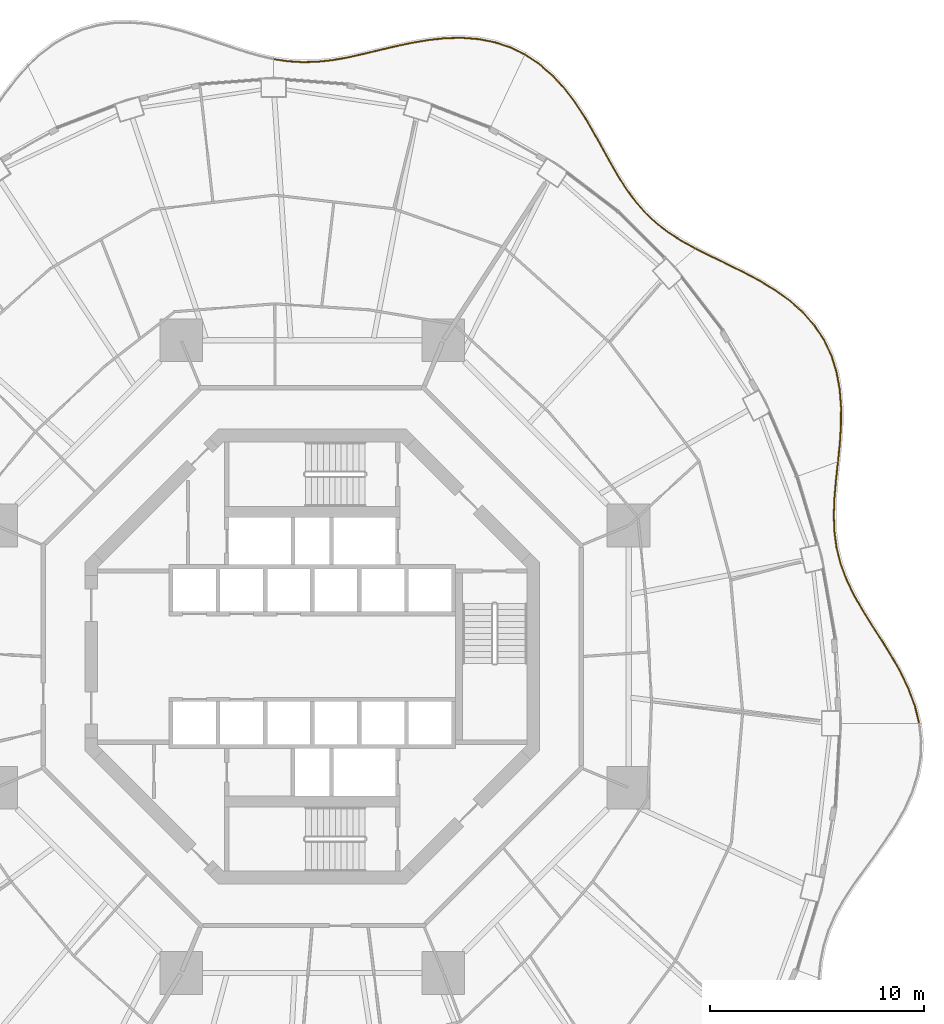
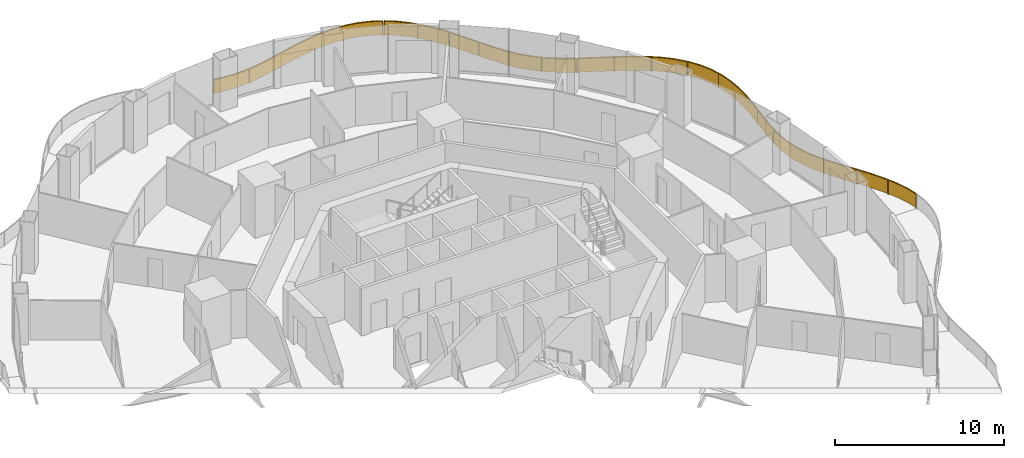
# One storey, part 19 of 19: 4 railings.
"""IFC4 building model written with IfcOpenShell, lengths in metres."""

from ifc_helpers import new_model, si_unit, direction, frame, origin, origin_2d, place, context, subcontext, project, spatial, polyline, rectangle, outline, extrude, material, type_object, element, save


model = new_model("IFC4")

# Units and contexts
model_context = context("Model", 3, precision=1e-05, world=origin(), true_north=direction((0.0, 1.0)))
body_context = subcontext(model_context, "Body", "Model", "MODEL_VIEW")
ifc_project = project(units=[si_unit("LENGTHUNIT", "METRE"), si_unit("AREAUNIT", "SQUARE_METRE"), si_unit("VOLUMEUNIT", "CUBIC_METRE"), si_unit("PLANEANGLEUNIT", "RADIAN"), si_unit("MASSUNIT", "GRAM", prefix="KILO")], contexts=[model_context])

# Site, building, storey
site_placement = place(None, origin())
site = spatial("IfcSite", under=ifc_project, at=site_placement, CompositionType="ELEMENT")
building_placement = place(site_placement, origin())
building = spatial("IfcBuilding", under=site, at=building_placement, Name="Nagisa Residences", CompositionType="ELEMENT")
storey_placement = place(building_placement, frame((0.0, 0.0, 149.199951171875)))
storey = spatial("IfcBuildingStorey", under=building, at=storey_placement, Name="L37", CompositionType="ELEMENT", Elevation=149.199951171875)

# Railings
ifc_material = material(Name="Stainless steel 316", Category="steel")
railing_type = type_object("IfcRailingType", Name="BALCONY GUARD 1100", PredefinedType="BALUSTRADE", material=ifc_material)
railing_1_placement = place(storey_placement, frame((28.34619140625, -3.080078125, 0.0)))
element("IfcRailing", 1, at=railing_1_placement, inside=storey, type_object=railing_type, Name="guard:L37:bal00-0", PredefinedType="BALUSTRADE", context=body_context, shape_type="SweptSolid", body=[
    extrude(outline(polyline([(-0.213623046875, 0.760986328125), (-0.0244140625, -0.006103515625), (0.0244140625, 0.006103515625), (-0.165771484375, 0.775634765625), (-0.4638671875, 1.5791015625), (-0.84033203125, 2.365478515625), (-1.27294921875, 3.132568359375), (-1.735595703125, 3.88037109375), (-2.200439453125, 4.5966796875), (-2.64501953125, 5.313232421875), (-3.045166015625, 6.022216796875), (-3.3828125, 6.731201171875), (-3.645751953125, 7.447265625), (-3.823974609375, 8.16455078125), (-3.925537109375, 8.9169921875), (-3.953857421875, 9.6953125), (-3.923095703125, 10.502197265625), (-3.850830078125, 11.33642578125), (-3.7626953125, 12.14990234375), (-3.8125, 12.1552734375), (-3.900634765625, 11.34130859375), (-3.972900390625, 10.505126953125), (-4.004150390625, 9.6953125), (-3.975341796875, 8.91259765625), (-3.873291015625, 8.1552734375), (-3.693603515625, 7.4326171875), (-3.42919921875, 6.711669921875), (-3.089599609375, 5.999267578125), (-2.68798828125, 5.287841796875), (-2.242919921875, 4.56982421875), (-1.778076171875, 3.853515625), (-1.31591796875, 3.107177734375), (-0.884765625, 2.342529296875), (-0.509765625, 1.5595703125), (-0.213623046875, 0.760986328125)])), frame((0.0, 0.0, 1.050048828125)), (0.0, 0.0, 1.0), 0.050048828125),
    extrude(outline(polyline([(-0.1962890625, 0.766357421875), (-0.0068359375, -0.001708984375), (0.0068359375, 0.001708984375), (-0.18310546875, 0.770263671875), (-0.48046875, 1.572021484375), (-0.8564453125, 2.357177734375), (-1.288330078125, 3.12353515625), (-1.7509765625, 3.87060546875), (-2.2158203125, 4.5869140625), (-2.660400390625, 5.30419921875), (-3.061279296875, 6.013916015625), (-3.399658203125, 6.72412109375), (-3.6630859375, 7.44189453125), (-3.841796875, 8.1611328125), (-3.943359375, 8.915283203125), (-3.971923828125, 9.6953125), (-3.94091796875, 10.503173828125), (-3.86865234375, 11.338134765625), (-3.780517578125, 12.15185546875), (-3.794677734375, 12.1533203125), (-3.8828125, 11.339599609375), (-3.955078125, 10.504150390625), (-3.986083984375, 9.6953125), (-3.95751953125, 8.914306640625), (-3.85546875, 8.15869140625), (-3.67626953125, 7.43798828125), (-3.412353515625, 6.71875), (-3.073486328125, 6.007568359375), (-2.672607421875, 5.296875), (-2.2275390625, 4.57958984375), (-1.7626953125, 3.86328125), (-1.300537109375, 3.1162109375), (-0.86865234375, 2.350830078125), (-0.4931640625, 1.566650390625), (-0.1962890625, 0.766357421875)])), frame((0.0, 0.0, 0.06005859375)), (0.0, 0.0, 1.0), 0.989990234375),
    extrude(rectangle(XDim=0.0400390625, YDim=0.0400390625, at=origin_2d()), origin(), (0.0, 0.0, 1.0), 1.050048828125),
    extrude(rectangle(XDim=0.0400390625, YDim=0.0400390625, at=origin_2d()), frame((-0.71826171875, 2.052734375, 0.0)), (0.0, 0.0, 1.0), 1.050048828125),
    extrude(rectangle(XDim=0.0400390625, YDim=0.0400390625, at=origin_2d()), frame((-1.8056640625, 3.942138671875, 0.0)), (0.0, 0.0, 1.0), 1.050048828125),
    extrude(rectangle(XDim=0.0400390625, YDim=0.0400390625, at=origin_2d()), frame((-2.948486328125, 5.800048828125, 0.0)), (0.0, 0.0, 1.0), 1.050048828125),
    extrude(rectangle(XDim=0.0400390625, YDim=0.0400390625, at=origin_2d()), frame((-3.762939453125, 7.815673828125, 0.0)), (0.0, 0.0, 1.0), 1.050048828125),
    extrude(rectangle(XDim=0.0400390625, YDim=0.0400390625, at=origin_2d()), frame((-3.968017578125, 9.979248046875, 0.0)), (0.0, 0.0, 1.0), 1.050048828125),
    extrude(rectangle(XDim=0.0400390625, YDim=0.0400390625, at=origin_2d()), frame((-3.78759765625, 12.152587890625, 0.0)), (0.0, 0.0, 1.0), 1.050048828125),
])
railing_2_placement = place(storey_placement, frame((24.568115234375, 9.148193359375, 0.0)))
element("IfcRailing", 2, at=railing_2_placement, inside=storey, type_object=railing_type, Name="guard:L37:bal01-0", PredefinedType="BALUSTRADE", context=body_context, shape_type="SweptSolid", body=[
    extrude(outline(polyline([(0.0556640625, 0.8046875), (-0.02490234375, 0.00244140625), (0.02490234375, -0.00244140625), (0.10546875, 0.80078125), (0.159423828125, 1.65625), (0.163818359375, 2.5087890625), (0.0986328125, 3.347412109375), (-0.051025390625, 4.16015625), (-0.289306640625, 4.9228515625), (-0.634033203125, 5.651611328125), (-1.078125, 6.326171875), (-1.615234375, 6.94140625), (-2.23388671875, 7.49658203125), (-2.909912109375, 7.98193359375), (-3.642333984375, 8.428955078125), (-4.402587890625, 8.8349609375), (-5.17041015625, 9.212890625), (-5.926513671875, 9.576904296875), (-6.615966796875, 9.921875), (-6.638427734375, 9.876953125), (-5.948486328125, 9.531982421875), (-5.1923828125, 9.16796875), (-4.425537109375, 8.79052734375), (-3.667236328125, 8.385498046875), (-2.937744140625, 7.9404296875), (-2.26513671875, 7.45751953125), (-1.65087890625, 6.90625), (-1.1181640625, 6.2958984375), (-0.677978515625, 5.627197265625), (-0.336181640625, 4.90478515625), (-0.099853515625, 4.14794921875), (0.048828125, 3.341064453125), (0.113525390625, 2.5068359375), (0.109619140625, 1.65771484375), (0.0556640625, 0.8046875)])), frame((0.0, 0.0, 1.050048828125)), (0.0, 0.0, 1.0), 0.050048828125),
    extrude(outline(polyline([(0.073486328125, 0.80322265625), (-0.007080078125, 0.000732421875), (0.007080078125, -0.000732421875), (0.087646484375, 0.80224609375), (0.1416015625, 1.65673828125), (0.145751953125, 2.508056640625), (0.08056640625, 3.34521484375), (-0.068603515625, 4.15576171875), (-0.30615234375, 4.916259765625), (-0.64990234375, 5.642822265625), (-1.092529296875, 6.315185546875), (-1.628173828125, 6.9287109375), (-2.2451171875, 7.482421875), (-2.919921875, 7.967041015625), (-3.6513671875, 8.413330078125), (-4.410888671875, 8.819091796875), (-5.17822265625, 9.19677734375), (-5.934326171875, 9.560791015625), (-6.6240234375, 9.90576171875), (-6.63037109375, 9.89306640625), (-5.940673828125, 9.548095703125), (-5.1845703125, 9.18408203125), (-4.417236328125, 8.806396484375), (-3.658203125, 8.401123046875), (-2.927734375, 7.955322265625), (-2.25390625, 7.4716796875), (-1.637939453125, 6.9189453125), (-1.103759765625, 6.306884765625), (-0.662109375, 5.635986328125), (-0.3193359375, 4.911376953125), (-0.082275390625, 4.15234375), (0.06689453125, 3.34326171875), (0.131591796875, 2.507568359375), (0.12744140625, 1.6572265625), (0.073486328125, 0.80322265625)])), frame((0.0, 0.0, 0.06005859375)), (0.0, 0.0, 1.0), 0.989990234375),
    extrude(rectangle(XDim=0.0400390625, YDim=0.0400390625, at=origin_2d()), origin(), (0.0, 0.0, 1.0), 1.050048828125),
    extrude(rectangle(XDim=0.0400390625, YDim=0.0400390625, at=origin_2d()), frame((0.13720703125, 2.19970703125, 0.0)), (0.0, 0.0, 1.0), 1.050048828125),
    extrude(rectangle(XDim=0.0400390625, YDim=0.0400390625, at=origin_2d()), frame((-0.1455078125, 4.37841796875, 0.0)), (0.0, 0.0, 1.0), 1.050048828125),
    extrude(rectangle(XDim=0.0400390625, YDim=0.0400390625, at=origin_2d()), frame((-1.123046875, 6.339599609375, 0.0)), (0.0, 0.0, 1.0), 1.050048828125),
    extrude(rectangle(XDim=0.0400390625, YDim=0.0400390625, at=origin_2d()), frame((-2.73828125, 7.827880859375, 0.0)), (0.0, 0.0, 1.0), 1.050048828125),
    extrude(rectangle(XDim=0.0400390625, YDim=0.0400390625, at=origin_2d()), frame((-4.6474609375, 8.927490234375, 0.0)), (0.0, 0.0, 1.0), 1.050048828125),
    extrude(rectangle(XDim=0.0400390625, YDim=0.0400390625, at=origin_2d()), frame((-6.627197265625, 9.8994140625, 0.0)), (0.0, 0.0, 1.0), 1.050048828125),
])
railing_3_placement = place(storey_placement, frame((17.87451171875, 19.080078125, 0.0)))
element("IfcRailing", 3, at=railing_3_placement, inside=storey, type_object=railing_type, Name="guard:L37:bal02-0", PredefinedType="BALUSTRADE", context=body_context, shape_type="SweptSolid", body=[
    extrude(outline(polyline([(-0.631103515625, 0.3212890625), (-0.01220703125, -0.02197265625), (0.01220703125, 0.02197265625), (-0.605224609375, 0.3642578125), (-1.214599609375, 0.757080078125), (-1.7744140625, 1.1884765625), (-2.284912109375, 1.666259765625), (-2.750732421875, 2.195068359375), (-3.1669921875, 2.764892578125), (-3.568359375, 3.393310546875), (-3.955078125, 4.062255859375), (-4.340087890625, 4.76123046875), (-4.7373046875, 5.474609375), (-5.14599609375, 6.177001953125), (-5.604736328125, 6.86865234375), (-6.108642578125, 7.52099609375), (-6.66357421875, 8.1171875), (-7.272216796875, 8.640625), (-7.892822265625, 9.05224609375), (-7.920654296875, 9.0107421875), (-7.302490234375, 8.6005859375), (-6.6982421875, 8.0810546875), (-6.146728515625, 7.48876953125), (-5.645263671875, 6.83935546875), (-5.1884765625, 6.150634765625), (-4.78076171875, 5.44970703125), (-4.384033203125, 4.73681640625), (-3.99853515625, 4.037841796875), (-3.611328125, 3.367431640625), (-3.20849609375, 2.736572265625), (-2.789794921875, 2.163818359375), (-2.321044921875, 1.631591796875), (-1.806640625, 1.150390625), (-1.243408203125, 0.716064453125), (-0.631103515625, 0.3212890625)])), frame((0.0, 0.0, 1.050048828125)), (0.0, 0.0, 1.0), 0.050048828125),
    extrude(outline(polyline([(-0.621826171875, 0.336669921875), (-0.00341796875, -0.006103515625), (0.00341796875, 0.006103515625), (-0.614501953125, 0.348876953125), (-1.224853515625, 0.7421875), (-1.785888671875, 1.1748046875), (-2.2978515625, 1.65380859375), (-2.764892578125, 2.183837890625), (-3.181884765625, 2.754638671875), (-3.583740234375, 3.384033203125), (-3.970703125, 4.053466796875), (-4.35595703125, 4.75244140625), (-4.7529296875, 5.465576171875), (-5.161376953125, 6.16748046875), (-5.619384765625, 6.858154296875), (-6.122314453125, 7.509521484375), (-6.676025390625, 8.104248046875), (-7.283203125, 8.626220703125), (-7.90283203125, 9.037353515625), (-7.91064453125, 9.025634765625), (-7.29150390625, 8.614990234375), (-6.685791015625, 8.093994140625), (-6.133056640625, 7.500244140625), (-5.630615234375, 6.849853515625), (-5.173095703125, 6.16015625), (-4.76513671875, 5.458740234375), (-4.3681640625, 4.74560546875), (-3.98291015625, 4.046630859375), (-3.595947265625, 3.376708984375), (-3.193603515625, 2.746826171875), (-2.775634765625, 2.175048828125), (-2.30810546875, 1.64404296875), (-1.795166015625, 1.1640625), (-1.233154296875, 0.73095703125), (-0.621826171875, 0.336669921875)])), frame((0.0, 0.0, 0.06005859375)), (0.0, 0.0, 1.0), 0.989990234375),
    extrude(rectangle(XDim=0.0400390625, YDim=0.0400390625, at=origin_2d()), origin(), (0.0, 0.0, 1.0), 1.050048828125),
    extrude(rectangle(XDim=0.0400390625, YDim=0.0400390625, at=origin_2d()), frame((-1.70556640625, 1.103759765625, 0.0)), (0.0, 0.0, 1.0), 1.050048828125),
    extrude(rectangle(XDim=0.0400390625, YDim=0.0400390625, at=origin_2d()), frame((-3.076416015625, 2.598388671875, 0.0)), (0.0, 0.0, 1.0), 1.050048828125),
    extrude(rectangle(XDim=0.0400390625, YDim=0.0400390625, at=origin_2d()), frame((-4.13427734375, 4.335693359375, 0.0)), (0.0, 0.0, 1.0), 1.050048828125),
    extrude(rectangle(XDim=0.0400390625, YDim=0.0400390625, at=origin_2d()), frame((-5.134765625, 6.10791015625, 0.0)), (0.0, 0.0, 1.0), 1.050048828125),
    extrude(rectangle(XDim=0.0400390625, YDim=0.0400390625, at=origin_2d()), frame((-6.345703125, 7.739013671875, 0.0)), (0.0, 0.0, 1.0), 1.050048828125),
    extrude(rectangle(XDim=0.0400390625, YDim=0.0400390625, at=origin_2d()), frame((-7.90673828125, 9.031494140625, 0.0)), (0.0, 0.0, 1.0), 1.050048828125),
])
railing_4_placement = place(storey_placement, frame((9.900634765625, 28.14990234375, 0.0)))
element("IfcRailing", 4, at=railing_4_placement, inside=storey, type_object=railing_type, Name="guard:L37:bal03-0", PredefinedType="BALUSTRADE", context=body_context, shape_type="SweptSolid", body=[
    extrude(outline(polyline([(-0.6484375, 0.2880859375), (-0.010986328125, -0.0224609375), (0.010986328125, 0.0224609375), (-0.62939453125, 0.33447265625), (-1.35400390625, 0.5751953125), (-2.1103515625, 0.724853515625), (-2.89013671875, 0.787109375), (-3.683837890625, 0.770751953125), (-4.465087890625, 0.683837890625), (-5.259033203125, 0.55078125), (-6.0419921875, 0.38427734375), (-6.809326171875, 0.202880859375), (-7.556884765625, 0.0244140625), (-8.266845703125, -0.1357421875), (-8.97509765625, -0.2578125), (-9.66796875, -0.33251953125), (-10.349609375, -0.350830078125), (-11.026611328125, -0.309326171875), (-11.662353515625, -0.214599609375), (-11.669677734375, -0.263916015625), (-11.031982421875, -0.359130859375), (-10.3505859375, -0.401123046875), (-9.66455078125, -0.38232421875), (-8.96826171875, -0.3076171875), (-8.257080078125, -0.18505859375), (-7.545654296875, -0.0244140625), (-6.797607421875, 0.154052734375), (-6.03125, 0.33544921875), (-5.249755859375, 0.50146484375), (-4.458251953125, 0.634033203125), (-3.680419921875, 0.720947265625), (-2.8916015625, 0.73681640625), (-2.1171875, 0.675048828125), (-1.36669921875, 0.52685546875), (-0.6484375, 0.2880859375)])), frame((0.0, 0.0, 1.050048828125)), (0.0, 0.0, 1.0), 0.050048828125),
    extrude(outline(polyline([(-0.6416015625, 0.3046875), (-0.003173828125, -0.00634765625), (0.003173828125, 0.00634765625), (-0.63623046875, 0.31787109375), (-1.358642578125, 0.557861328125), (-2.11279296875, 0.706787109375), (-2.890625, 0.76904296875), (-3.6826171875, 0.7529296875), (-4.462646484375, 0.665771484375), (-5.255615234375, 0.532958984375), (-6.0380859375, 0.36669921875), (-6.80517578125, 0.185302734375), (-7.552734375, 0.0068359375), (-8.263427734375, -0.153564453125), (-8.97265625, -0.27587890625), (-9.666748046875, -0.350341796875), (-10.35009765625, -0.368896484375), (-11.028564453125, -0.3271484375), (-11.6650390625, -0.232421875), (-11.6669921875, -0.24609375), (-11.030029296875, -0.34130859375), (-10.35009765625, -0.383056640625), (-9.665771484375, -0.364501953125), (-8.970703125, -0.28955078125), (-8.260498046875, -0.167236328125), (-7.5498046875, -0.0068359375), (-6.8017578125, 0.171630859375), (-6.03515625, 0.35302734375), (-5.253173828125, 0.519287109375), (-4.460693359375, 0.652099609375), (-3.681640625, 0.73876953125), (-2.89111328125, 0.7548828125), (-2.11474609375, 0.693115234375), (-1.362060546875, 0.544189453125), (-0.6416015625, 0.3046875)])), frame((0.0, 0.0, 0.06005859375)), (0.0, 0.0, 1.0), 0.989990234375),
    extrude(rectangle(XDim=0.0400390625, YDim=0.0400390625, at=origin_2d()), origin(), (0.0, 0.0, 1.0), 1.050048828125),
    extrude(rectangle(XDim=0.0400390625, YDim=0.0400390625, at=origin_2d()), frame((-2.25634765625, 0.71142578125, 0.0)), (0.0, 0.0, 1.0), 1.050048828125),
    extrude(rectangle(XDim=0.0400390625, YDim=0.0400390625, at=origin_2d()), frame((-4.629150390625, 0.630859375, 0.0)), (0.0, 0.0, 1.0), 1.050048828125),
    extrude(rectangle(XDim=0.0400390625, YDim=0.0400390625, at=origin_2d()), frame((-6.95947265625, 0.141357421875, 0.0)), (0.0, 0.0, 1.0), 1.050048828125),
    extrude(rectangle(XDim=0.0400390625, YDim=0.0400390625, at=origin_2d()), frame((-9.294677734375, -0.3173828125, 0.0)), (0.0, 0.0, 1.0), 1.050048828125),
    extrude(rectangle(XDim=0.0400390625, YDim=0.0400390625, at=origin_2d()), frame((-11.666015625, -0.2392578125, 0.0)), (0.0, 0.0, 1.0), 1.050048828125),
])

save(model, "model.ifc")
